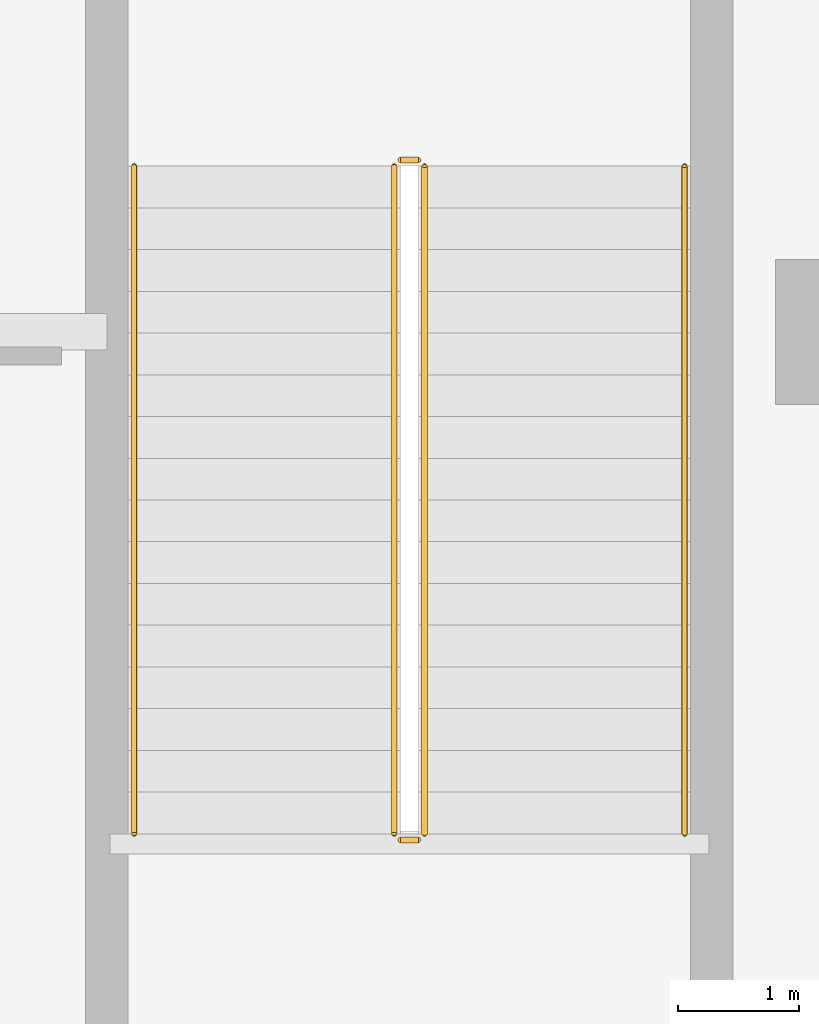
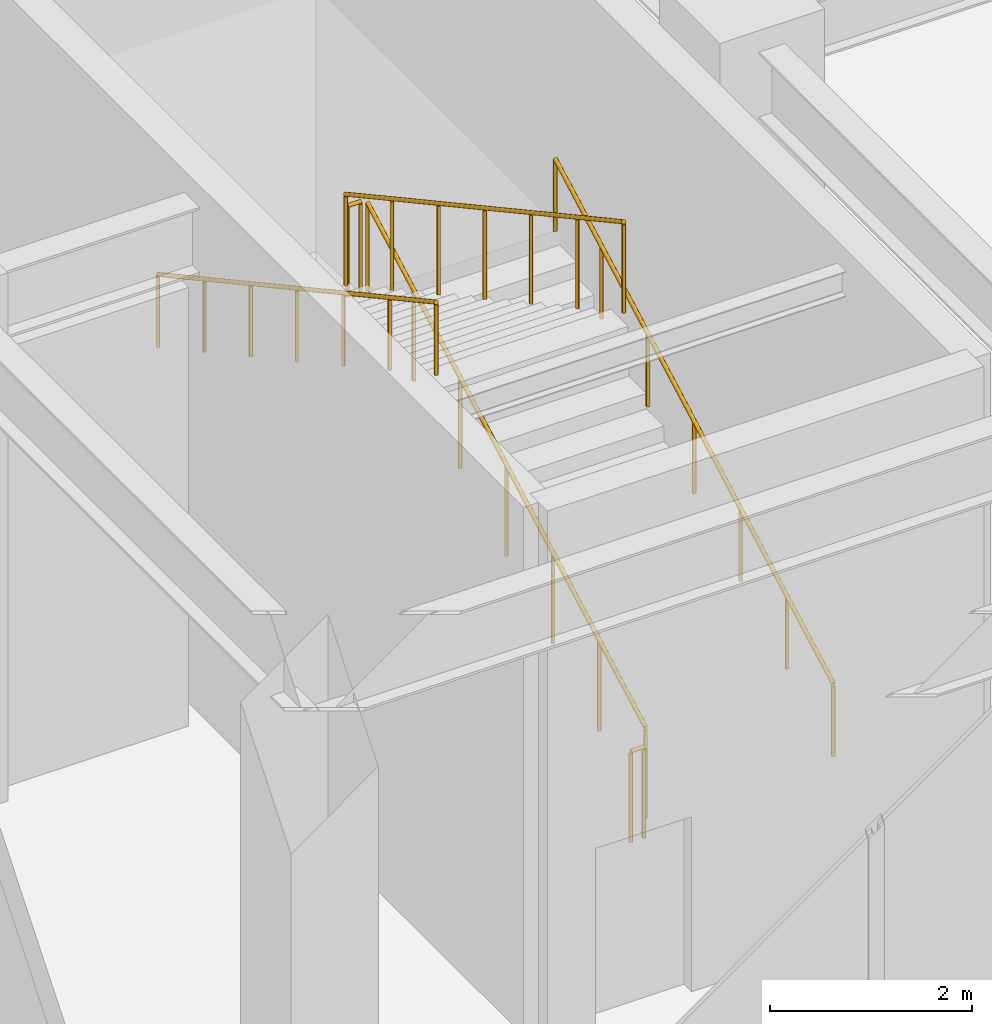
# One storey, part 44 of 50: 6 railings.
"""IFC4 building model written with IfcOpenShell, lengths in metres."""

from ifc_helpers import new_model, si_unit, direction, frame, origin, origin_2d, place, context, subcontext, project, spatial, circle, extrude, material, type_object, element, save


model = new_model("IFC4")

# Units and contexts
model_context = context("Model", 3, precision=1e-05, world=origin(), true_north=direction((0.0, 1.0)))
body_context = subcontext(model_context, "Body", "Model", "MODEL_VIEW")
ifc_project = project(units=[si_unit("LENGTHUNIT", "METRE"), si_unit("AREAUNIT", "SQUARE_METRE"), si_unit("VOLUMEUNIT", "CUBIC_METRE"), si_unit("PLANEANGLEUNIT", "RADIAN"), si_unit("MASSUNIT", "GRAM", prefix="KILO")], contexts=[model_context])

# Site, building, storey
site_placement = place(None, origin())
site = spatial("IfcSite", under=ifc_project, at=site_placement, CompositionType="ELEMENT")
building_placement = place(site_placement, origin())
building = spatial("IfcBuilding", under=site, at=building_placement, Name="Tolvann Quenvar Hotel", CompositionType="ELEMENT")
storey_placement = place(building_placement, frame((0.0, 0.0, 16.0)))
storey = spatial("IfcBuildingStorey", under=building, at=storey_placement, Name="L03", CompositionType="ELEMENT", Elevation=16.0)

# Railings
ifc_material = material(Name="Brushed 316 stainless steel balustrade and handrail", Category="steel")
railing_type_1 = type_object("IfcRailingType", Name="GUARDRAIL", PredefinedType="GUARDRAIL", material=ifc_material)
railing_1_placement = place(storey_placement, frame((52.89990234375, 4.050048828125, 0.188232421875)))
element("IfcRailing", 1, at=railing_1_placement, inside=storey, type_object=railing_type_1, Name="L03 ST-P3 stair guard 1", PredefinedType="GUARDRAIL", context=body_context, shape_type="SweptSolid", body=[
    extrude(circle(Radius=0.02392578125, at=origin_2d()), frame((0.0, 0.0, 1.09619140625), z_axis=(0.0, 0.877842151624, 0.47895005672), x_axis=(-1.0, 0.0, 0.0)), (0.0, 0.0, 1.0), 6.2880859375),
    extrude(circle(Radius=0.02099609375, at=origin_2d()), origin(), (0.0, 0.0, 1.0), 1.072021484375),
    extrude(circle(Radius=0.02099609375, at=origin_2d()), frame((0.0, 0.919921875, 0.501953125)), (0.0, 0.0, 1.0), 1.072021484375),
    extrude(circle(Radius=0.02099609375, at=origin_2d()), frame((0.0, 1.840087890625, 1.00390625)), (0.0, 0.0, 1.0), 1.072021484375),
    extrude(circle(Radius=0.02099609375, at=origin_2d()), frame((0.0, 2.760009765625, 1.505859375)), (0.0, 0.0, 1.0), 1.072021484375),
    extrude(circle(Radius=0.02099609375, at=origin_2d()), frame((0.0, 3.679931640625, 2.0078125)), (0.0, 0.0, 1.0), 1.072021484375),
    extrude(circle(Radius=0.02099609375, at=origin_2d()), frame((0.0, 4.60009765625, 2.509765625)), (0.0, 0.0, 1.0), 1.072021484375),
    extrude(circle(Radius=0.02099609375, at=origin_2d()), frame((0.0, 5.52001953125, 3.01171875)), (0.0, 0.0, 1.0), 1.072021484375),
])
railing_2_placement = place(storey_placement, frame((52.85009765625, 9.6201171875, 3.199951171875)))
element("IfcRailing", 2, at=railing_2_placement, inside=storey, type_object=railing_type_1, Name="L03 ST-P3 stair guard 2", PredefinedType="GUARDRAIL", context=body_context, shape_type="SweptSolid", body=[
    extrude(circle(Radius=0.02392578125, at=origin_2d()), frame((0.0, 0.0, 1.09619140625), z_axis=(-1.0, 0.0, 0.0), x_axis=(0.0, -1.0, 0.0)), (0.0, 0.0, 1.0), 0.150146484375),
    extrude(circle(Radius=0.02099609375, at=origin_2d()), origin(), (0.0, 0.0, 1.0), 1.072021484375),
    extrude(circle(Radius=0.02099609375, at=origin_2d()), frame((-0.150146484375, 0.0, 0.0)), (0.0, 0.0, 1.0), 1.072021484375),
])
railing_3_placement = place(storey_placement, frame((52.64990234375, 9.570068359375, 3.38818359375)))
element("IfcRailing", 3, at=railing_3_placement, inside=storey, type_object=railing_type_1, Name="L03 ST-P3 stair guard 3", PredefinedType="GUARDRAIL", context=body_context, shape_type="SweptSolid", body=[
    extrude(circle(Radius=0.02392578125, at=origin_2d()), frame((0.0, 0.0, 1.09619140625), z_axis=(0.0, -0.877842151624, 0.47895005672), x_axis=(1.0, 0.0, 0.0)), (0.0, 0.0, 1.0), 6.2880859375),
    extrude(circle(Radius=0.02099609375, at=origin_2d()), origin(), (0.0, 0.0, 1.0), 1.072021484375),
    extrude(circle(Radius=0.02099609375, at=origin_2d()), frame((0.0, -0.919921875, 0.501953125)), (0.0, 0.0, 1.0), 1.072021484375),
    extrude(circle(Radius=0.02099609375, at=origin_2d()), frame((0.0, -1.840087890625, 1.00390625)), (0.0, 0.0, 1.0), 1.072021484375),
    extrude(circle(Radius=0.02099609375, at=origin_2d()), frame((0.0, -2.760009765625, 1.505859375)), (0.0, 0.0, 1.0), 1.072021484375),
    extrude(circle(Radius=0.02099609375, at=origin_2d()), frame((0.0, -3.679931640625, 2.0078125)), (0.0, 0.0, 1.0), 1.072021484375),
    extrude(circle(Radius=0.02099609375, at=origin_2d()), frame((0.0, -4.60009765625, 2.509765625)), (0.0, 0.0, 1.0), 1.072021484375),
    extrude(circle(Radius=0.02099609375, at=origin_2d()), frame((0.0, -5.52001953125, 3.01171875)), (0.0, 0.0, 1.0), 1.072021484375),
])
railing_4_placement = place(storey_placement, frame((52.85009765625, 4.0, 0.0)))
element("IfcRailing", 4, at=railing_4_placement, inside=storey, type_object=railing_type_1, Name="L03 ST-P3 stair guard 4", PredefinedType="GUARDRAIL", context=body_context, shape_type="SweptSolid", body=[
    extrude(circle(Radius=0.02392578125, at=origin_2d()), frame((0.0, 0.0, 1.09619140625), z_axis=(-1.0, 0.0, 0.0), x_axis=(0.0, -1.0, 0.0)), (0.0, 0.0, 1.0), 0.150146484375),
    extrude(circle(Radius=0.02099609375, at=origin_2d()), origin(), (0.0, 0.0, 1.0), 1.072021484375),
    extrude(circle(Radius=0.02099609375, at=origin_2d()), frame((-0.150146484375, 0.0, 0.0)), (0.0, 0.0, 1.0), 1.072021484375),
])
railing_type_2 = type_object("IfcRailingType", Name="HANDRAIL", PredefinedType="HANDRAIL", material=ifc_material)
railing_5_placement = place(storey_placement, frame((55.050048828125, 4.050048828125, 0.188232421875)))
element("IfcRailing", 5, at=railing_5_placement, inside=storey, type_object=railing_type_2, Name="L03 ST-P3 stair handrail 1", PredefinedType="HANDRAIL", context=body_context, shape_type="SweptSolid", body=[
    extrude(circle(Radius=0.02392578125, at=origin_2d()), frame((0.0, 0.0, 0.8759765625), z_axis=(0.0, 0.877842151624, 0.47895005672), x_axis=(-1.0, 0.0, 0.0)), (0.0, 0.0, 1.0), 6.2880859375),
    extrude(circle(Radius=0.02099609375, at=origin_2d()), origin(), (0.0, 0.0, 1.0), 0.851806640625),
    extrude(circle(Radius=0.02099609375, at=origin_2d()), frame((0.0, 0.919921875, 0.501953125)), (0.0, 0.0, 1.0), 0.851806640625),
    extrude(circle(Radius=0.02099609375, at=origin_2d()), frame((0.0, 1.840087890625, 1.00390625)), (0.0, 0.0, 1.0), 0.851806640625),
    extrude(circle(Radius=0.02099609375, at=origin_2d()), frame((0.0, 2.760009765625, 1.505859375)), (0.0, 0.0, 1.0), 0.851806640625),
    extrude(circle(Radius=0.02099609375, at=origin_2d()), frame((0.0, 3.679931640625, 2.0078125)), (0.0, 0.0, 1.0), 0.851806640625),
    extrude(circle(Radius=0.02099609375, at=origin_2d()), frame((0.0, 4.60009765625, 2.509765625)), (0.0, 0.0, 1.0), 0.851806640625),
    extrude(circle(Radius=0.02099609375, at=origin_2d()), frame((0.0, 5.52001953125, 3.01171875)), (0.0, 0.0, 1.0), 0.851806640625),
])
railing_6_placement = place(storey_placement, frame((50.5, 9.570068359375, 3.38818359375)))
element("IfcRailing", 6, at=railing_6_placement, inside=storey, type_object=railing_type_2, Name="L03 ST-P3 stair handrail 2", PredefinedType="HANDRAIL", context=body_context, shape_type="SweptSolid", body=[
    extrude(circle(Radius=0.02392578125, at=origin_2d()), frame((0.0, 0.0, 0.8759765625), z_axis=(0.0, -0.877842151624, 0.47895005672), x_axis=(1.0, 0.0, 0.0)), (0.0, 0.0, 1.0), 6.2880859375),
    extrude(circle(Radius=0.02099609375, at=origin_2d()), origin(), (0.0, 0.0, 1.0), 0.851806640625),
    extrude(circle(Radius=0.02099609375, at=origin_2d()), frame((0.0, -0.919921875, 0.501953125)), (0.0, 0.0, 1.0), 0.851806640625),
    extrude(circle(Radius=0.02099609375, at=origin_2d()), frame((0.0, -1.840087890625, 1.00390625)), (0.0, 0.0, 1.0), 0.851806640625),
    extrude(circle(Radius=0.02099609375, at=origin_2d()), frame((0.0, -2.760009765625, 1.505859375)), (0.0, 0.0, 1.0), 0.851806640625),
    extrude(circle(Radius=0.02099609375, at=origin_2d()), frame((0.0, -3.679931640625, 2.0078125)), (0.0, 0.0, 1.0), 0.851806640625),
    extrude(circle(Radius=0.02099609375, at=origin_2d()), frame((0.0, -4.60009765625, 2.509765625)), (0.0, 0.0, 1.0), 0.851806640625),
    extrude(circle(Radius=0.02099609375, at=origin_2d()), frame((0.0, -5.52001953125, 3.01171875)), (0.0, 0.0, 1.0), 0.851806640625),
])

save(model, "model.ifc")
